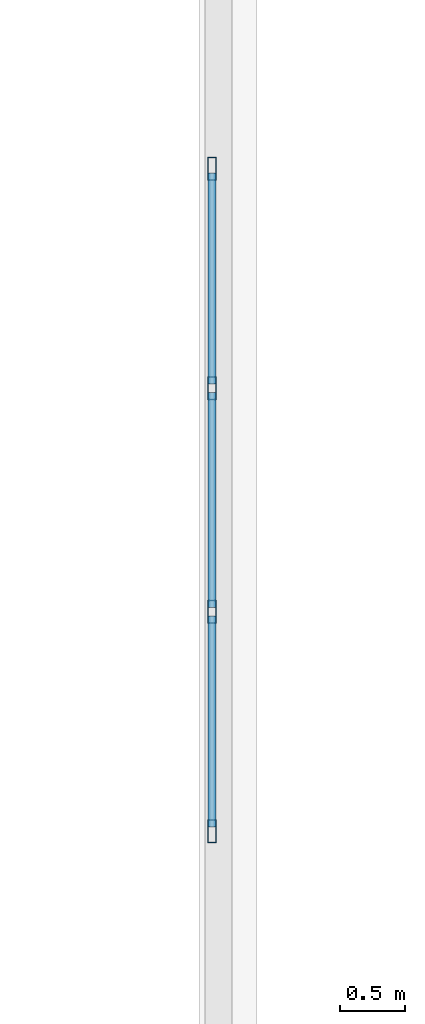
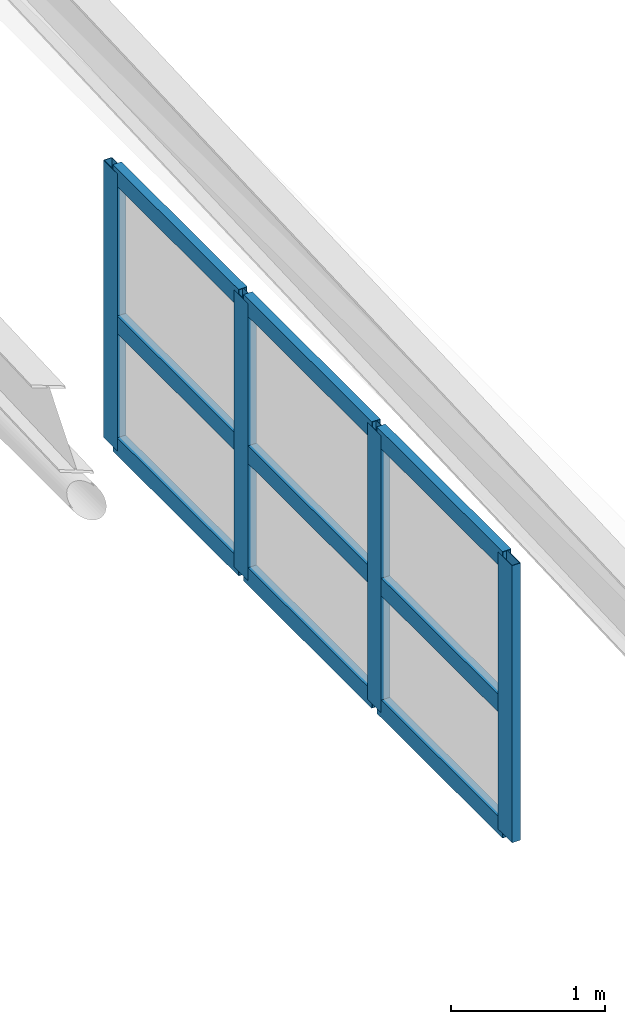
# One storey, part 29 of 128: 13 members, 1 element without a shape of its own.
"""IFC4 building model written with IfcOpenShell, lengths in metres."""

from ifc_helpers import new_model, si_unit, direction, frame, origin, origin_2d, place, context, subcontext, project, spatial, hollow_rectangle, extrude, material, layer, layer_set, material_profile, profile_set, type_object, element, aggregate, save


model = new_model("IFC4")

# Units and contexts
model_context = context("Model", 3, precision=1e-05, world=origin(), true_north=direction((0.0, 1.0)))
body_context = subcontext(model_context, "Body", "Model", "MODEL_VIEW")
ifc_project = project(units=[si_unit("LENGTHUNIT", "METRE"), si_unit("AREAUNIT", "SQUARE_METRE"), si_unit("VOLUMEUNIT", "CUBIC_METRE"), si_unit("PLANEANGLEUNIT", "RADIAN"), si_unit("MASSUNIT", "GRAM", prefix="KILO")], contexts=[model_context])

# Site, building, storey
site_placement = place(None, origin())
site = spatial("IfcSite", under=ifc_project, at=site_placement, CompositionType="ELEMENT")
building_placement = place(site_placement, origin())
building = spatial("IfcBuilding", under=site, at=building_placement, Name="Keldmere Railside Commons", CompositionType="ELEMENT")
storey_placement = place(building_placement, frame((0.0, 0.0, 4.159912109375)))
storey = spatial("IfcBuildingStorey", under=building, at=storey_placement, Name="L01", CompositionType="ELEMENT", Elevation=4.159912109375)

# Curtain wall, members
ifc_material = material(Name="Thermally Broken Aluminium", Category="aluminium")
ifc_layer = layer(ifc_material, 0.159912109375, Name="Community Hall Side Clerestory CW 5200x2200")
ifc_layer_set = layer_set([ifc_layer], Name="Thermally Broken Aluminium")
curtain_wall_type = type_object("IfcCurtainWallType", Name="Community Hall Side Clerestory CW 5200x2200", PredefinedType="NOTDEFINED", material=ifc_layer_set)
curtain_wall_placement = place(storey_placement, origin())
curtain_wall = element("IfcCurtainWall", 1, at=curtain_wall_placement, inside=storey, type_object=curtain_wall_type, Name="CW-06 CW-L01-206", PredefinedType="NOTDEFINED")
ifc_material_profile_1 = material_profile(ifc_material, hollow_rectangle(XDim=0.06494140625, YDim=0.179931640625, WallThickness=0.00390625, at=origin_2d()), Name="ALU-MULL-65x180")
ifc_profile_set_1 = profile_set([ifc_material_profile_1], Name="Thermally Broken Aluminium")
member_type_1 = type_object("IfcMemberType", Name="Civic Tall Curtain Wall Mullion 65x180", PredefinedType="MULLION", material=ifc_profile_set_1)
member_1_placement = place(storey_placement, frame((105.949951171875, 26.367431640625, 0.090087890625), z_axis=(0.0, 0.0, 1.0), x_axis=(1.0, 0.0, 0.0)))
member_1 = element("IfcMember", 2, at=member_1_placement, type_object=member_type_1, Name="CW-06 mullion 1", PredefinedType="MULLION", context=body_context, shape_type="SweptSolid", body=[
    extrude(hollow_rectangle(XDim=0.06494140625, YDim=0.179931640625, WallThickness=0.00390625, at=origin_2d()), origin(), (0.0, 0.0, 1.0), 2.199951171875),
])
member_2_placement = place(storey_placement, frame((105.949951171875, 24.666748046875, 0.090087890625), z_axis=(0.0, 0.0, 1.0), x_axis=(1.0, 0.0, 0.0)))
member_2 = element("IfcMember", 3, at=member_2_placement, type_object=member_type_1, Name="CW-06 mullion 2", PredefinedType="MULLION", context=body_context, shape_type="SweptSolid", body=[
    extrude(hollow_rectangle(XDim=0.06494140625, YDim=0.179931640625, WallThickness=0.00390625, at=origin_2d()), origin(), (0.0, 0.0, 1.0), 2.199951171875),
])
member_3_placement = place(storey_placement, frame((105.949951171875, 22.933349609375, 0.090087890625), z_axis=(0.0, 0.0, 1.0), x_axis=(1.0, 0.0, 0.0)))
member_3 = element("IfcMember", 4, at=member_3_placement, type_object=member_type_1, Name="CW-06 mullion 3", PredefinedType="MULLION", context=body_context, shape_type="SweptSolid", body=[
    extrude(hollow_rectangle(XDim=0.06494140625, YDim=0.179931640625, WallThickness=0.00390625, at=origin_2d()), origin(), (0.0, 0.0, 1.0), 2.199951171875),
])
member_4_placement = place(storey_placement, frame((105.949951171875, 21.232421875, 0.090087890625), z_axis=(0.0, 0.0, 1.0), x_axis=(1.0, 0.0, 0.0)))
member_4 = element("IfcMember", 5, at=member_4_placement, type_object=member_type_1, Name="CW-06 mullion 4", PredefinedType="MULLION", context=body_context, shape_type="SweptSolid", body=[
    extrude(hollow_rectangle(XDim=0.06494140625, YDim=0.179931640625, WallThickness=0.00390625, at=origin_2d()), origin(), (0.0, 0.0, 1.0), 2.199951171875),
])
ifc_material_profile_2 = material_profile(ifc_material, hollow_rectangle(XDim=0.06494140625, YDim=0.139892578125, WallThickness=0.00390625, at=origin_2d()), Name="ALU-TRAN-65x140")
ifc_profile_set_2 = profile_set([ifc_material_profile_2], Name="Thermally Broken Aluminium")
member_type_2 = type_object("IfcMemberType", Name="Civic Tall Curtain Wall Transom 65x140", PredefinedType="USERDEFINED", material=ifc_profile_set_2)
member_5_placement = place(storey_placement, frame((105.949951171875, 26.3349609375, 0.12255859375), z_axis=(0.0, -1.0, 0.0), x_axis=(1.0, 0.0, 0.0)))
member_5 = element("IfcMember", 6, at=member_5_placement, type_object=member_type_2, Name="CW-06 transom 1.1", ObjectType="TRANSOM", PredefinedType="USERDEFINED", context=body_context, shape_type="SweptSolid", body=[
    extrude(hollow_rectangle(XDim=0.06494140625, YDim=0.139892578125, WallThickness=0.00390625, at=origin_2d()), origin(), (0.0, 0.0, 1.0), 1.6357421875),
])
member_6_placement = place(storey_placement, frame((105.949951171875, 26.3349609375, 1.090087890625), z_axis=(0.0, -1.0, 0.0), x_axis=(1.0, 0.0, 0.0)))
member_6 = element("IfcMember", 7, at=member_6_placement, type_object=member_type_2, Name="CW-06 transom 1.2", ObjectType="TRANSOM", PredefinedType="USERDEFINED", context=body_context, shape_type="SweptSolid", body=[
    extrude(hollow_rectangle(XDim=0.06494140625, YDim=0.139892578125, WallThickness=0.00390625, at=origin_2d()), origin(), (0.0, 0.0, 1.0), 1.6357421875),
])
member_7_placement = place(storey_placement, frame((105.949951171875, 26.3349609375, 2.257568359375), z_axis=(0.0, -1.0, 0.0), x_axis=(1.0, 0.0, 0.0)))
member_7 = element("IfcMember", 8, at=member_7_placement, type_object=member_type_2, Name="CW-06 transom 1.3", ObjectType="TRANSOM", PredefinedType="USERDEFINED", context=body_context, shape_type="SweptSolid", body=[
    extrude(hollow_rectangle(XDim=0.06494140625, YDim=0.139892578125, WallThickness=0.00390625, at=origin_2d()), origin(), (0.0, 0.0, 1.0), 1.6357421875),
])
member_8_placement = place(storey_placement, frame((105.949951171875, 24.63427734375, 0.12255859375), z_axis=(0.0, -1.0, 0.0), x_axis=(1.0, 0.0, 0.0)))
member_8 = element("IfcMember", 9, at=member_8_placement, type_object=member_type_2, Name="CW-06 transom 2.1", ObjectType="TRANSOM", PredefinedType="USERDEFINED", context=body_context, shape_type="SweptSolid", body=[
    extrude(hollow_rectangle(XDim=0.06494140625, YDim=0.139892578125, WallThickness=0.00390625, at=origin_2d()), origin(), (0.0, 0.0, 1.0), 1.66845703125),
])
member_9_placement = place(storey_placement, frame((105.949951171875, 24.63427734375, 1.090087890625), z_axis=(0.0, -1.0, 0.0), x_axis=(1.0, 0.0, 0.0)))
member_9 = element("IfcMember", 10, at=member_9_placement, type_object=member_type_2, Name="CW-06 transom 2.2", ObjectType="TRANSOM", PredefinedType="USERDEFINED", context=body_context, shape_type="SweptSolid", body=[
    extrude(hollow_rectangle(XDim=0.06494140625, YDim=0.139892578125, WallThickness=0.00390625, at=origin_2d()), origin(), (0.0, 0.0, 1.0), 1.66845703125),
])
member_10_placement = place(storey_placement, frame((105.949951171875, 24.63427734375, 2.257568359375), z_axis=(0.0, -1.0, 0.0), x_axis=(1.0, 0.0, 0.0)))
member_10 = element("IfcMember", 11, at=member_10_placement, type_object=member_type_2, Name="CW-06 transom 2.3", ObjectType="TRANSOM", PredefinedType="USERDEFINED", context=body_context, shape_type="SweptSolid", body=[
    extrude(hollow_rectangle(XDim=0.06494140625, YDim=0.139892578125, WallThickness=0.00390625, at=origin_2d()), origin(), (0.0, 0.0, 1.0), 1.66845703125),
])
member_11_placement = place(storey_placement, frame((105.949951171875, 22.90087890625, 0.12255859375), z_axis=(0.0, -1.0, 0.0), x_axis=(1.0, 0.0, 0.0)))
member_11 = element("IfcMember", 12, at=member_11_placement, type_object=member_type_2, Name="CW-06 transom 3.1", ObjectType="TRANSOM", PredefinedType="USERDEFINED", context=body_context, shape_type="SweptSolid", body=[
    extrude(hollow_rectangle(XDim=0.06494140625, YDim=0.139892578125, WallThickness=0.00390625, at=origin_2d()), origin(), (0.0, 0.0, 1.0), 1.635986328125),
])
member_12_placement = place(storey_placement, frame((105.949951171875, 22.90087890625, 1.090087890625), z_axis=(0.0, -1.0, 0.0), x_axis=(1.0, 0.0, 0.0)))
member_12 = element("IfcMember", 13, at=member_12_placement, type_object=member_type_2, Name="CW-06 transom 3.2", ObjectType="TRANSOM", PredefinedType="USERDEFINED", context=body_context, shape_type="SweptSolid", body=[
    extrude(hollow_rectangle(XDim=0.06494140625, YDim=0.139892578125, WallThickness=0.00390625, at=origin_2d()), origin(), (0.0, 0.0, 1.0), 1.635986328125),
])
member_13_placement = place(storey_placement, frame((105.949951171875, 22.90087890625, 2.257568359375), z_axis=(0.0, -1.0, 0.0), x_axis=(1.0, 0.0, 0.0)))
member_13 = element("IfcMember", 14, at=member_13_placement, type_object=member_type_2, Name="CW-06 transom 3.3", ObjectType="TRANSOM", PredefinedType="USERDEFINED", context=body_context, shape_type="SweptSolid", body=[
    extrude(hollow_rectangle(XDim=0.06494140625, YDim=0.139892578125, WallThickness=0.00390625, at=origin_2d()), origin(), (0.0, 0.0, 1.0), 1.635986328125),
])
aggregate(curtain_wall, [member_1, member_2, member_3, member_4, member_5, member_6, member_7, member_8, member_9, member_10, member_11, member_12, member_13])

save(model, "model.ifc")
